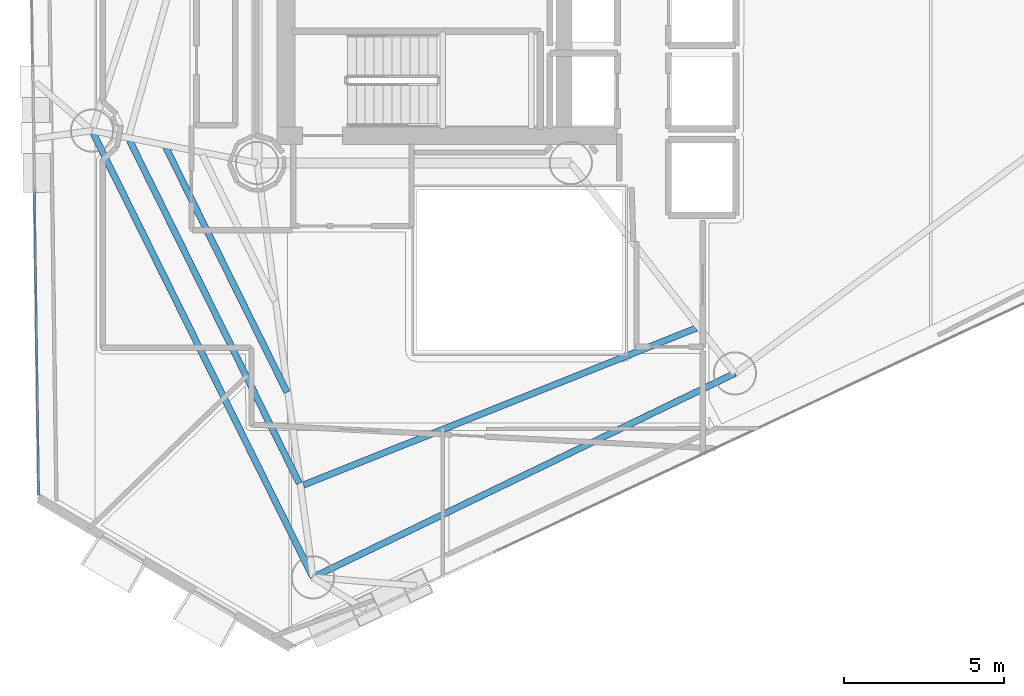
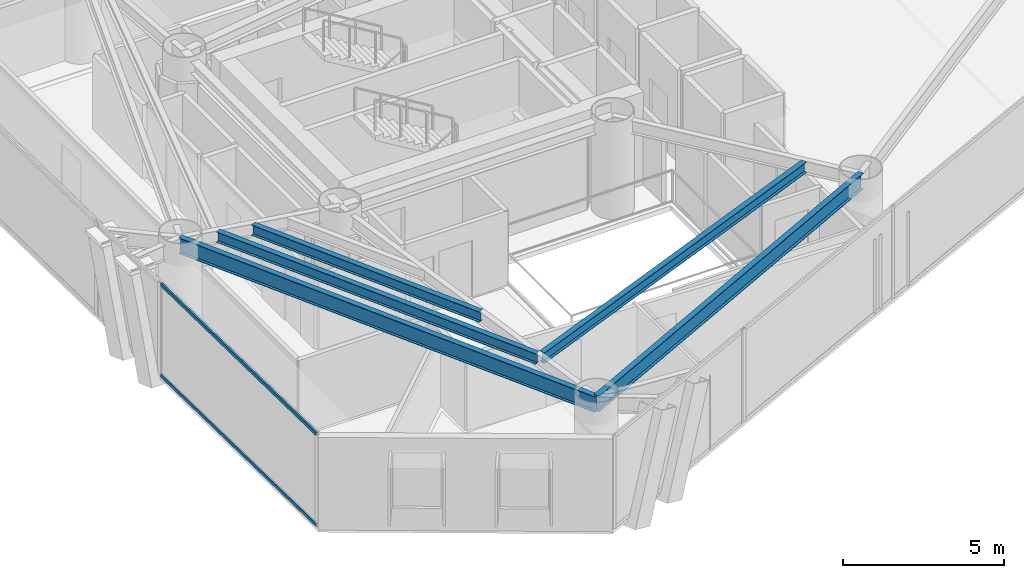
# One storey, part 3 of 20: 5 beams, 2 members, 1 element without a shape of its own.
"""IFC4 building model written with IfcOpenShell, lengths in metres."""

from ifc_helpers import new_model, si_unit, direction, frame, origin, origin_2d, place, context, subcontext, project, spatial, hollow_rectangle, i_section, extrude, material, layer, layer_set, material_profile, profile_set, type_object, element, aggregate, save


model = new_model("IFC4")

# Units and contexts
model_context = context("Model", 3, precision=1e-05, world=origin(), true_north=direction((0.0, 1.0)))
body_context = subcontext(model_context, "Body", "Model", "MODEL_VIEW")
ifc_project = project(units=[si_unit("LENGTHUNIT", "METRE"), si_unit("AREAUNIT", "SQUARE_METRE"), si_unit("VOLUMEUNIT", "CUBIC_METRE"), si_unit("PLANEANGLEUNIT", "RADIAN"), si_unit("MASSUNIT", "GRAM", prefix="KILO")], contexts=[model_context])

# Site, building, storey
site_placement = place(None, origin())
site = spatial("IfcSite", under=ifc_project, at=site_placement, CompositionType="ELEMENT")
building_placement = place(site_placement, origin())
building = spatial("IfcBuilding", under=site, at=building_placement, Name="Qianvela Tower", CompositionType="ELEMENT")
storey_placement = place(building_placement, frame((0.0, 0.0, 151.300048828125)))
storey = spatial("IfcBuildingStorey", under=building, at=storey_placement, Name="L38", CompositionType="ELEMENT", Elevation=151.300048828125)

# Beams
ifc_material_1 = material(Name="Steel Q355B", Category="steel")
ifc_material_profile_1 = material_profile(ifc_material_1, i_section(OverallWidth=0.199951171875, OverallDepth=0.39990234375, WebThickness=0.008056640625, FlangeThickness=0.012939453125, at=origin_2d()), Name="HN400x200x8x13")
ifc_profile_set_1 = profile_set([ifc_material_profile_1], Name="Steel Q355B")
beam_type_1 = type_object("IfcBeamType", Name="BM-HN400-JOIST", PredefinedType="JOIST", material=ifc_profile_set_1)
beam_1_placement = place(storey_placement, frame((25.75634765625, 24.3291015625, 3.31787109375), z_axis=(0.443417285282, -0.896315296708, 0.0), x_axis=(0.896315296708, 0.443417285282, 0.0)))
element("IfcBeam", 1, at=beam_1_placement, inside=storey, type_object=beam_type_1, Name="L38 Secondary Composite Floor Joist 4.2", PredefinedType="JOIST", context=body_context, shape_type="SweptSolid", body=[
    extrude(i_section(OverallWidth=0.199951171875, OverallDepth=0.39990234375, WebThickness=0.008056640625, FlangeThickness=0.012939453125, at=origin_2d()), origin(), (0.0, 0.0, 1.0), 8.523681640625),
])
beam_2_placement = place(storey_placement, frame((24.622314453125, 24.551025390625, 3.31787109375), z_axis=(0.443417031377, -0.896315422318, 0.0), x_axis=(0.896315422318, 0.443417031377, 0.0)))
element("IfcBeam", 2, at=beam_2_placement, inside=storey, type_object=beam_type_1, Name="L38 Secondary Composite Floor Joist 4.3", PredefinedType="JOIST", context=body_context, shape_type="SweptSolid", body=[
    extrude(i_section(OverallWidth=0.199951171875, OverallDepth=0.39990234375, WebThickness=0.008056640625, FlangeThickness=0.012939453125, at=origin_2d()), origin(), (0.0, 0.0, 1.0), 11.94775390625),
])
beam_3_placement = place(storey_placement, frame((30.0517578125, 13.79150390625, 3.31787109375), z_axis=(0.928611849806, 0.371052600584, 0.0), x_axis=(-0.371052600584, 0.928611849806, 0.0)))
element("IfcBeam", 3, at=beam_3_placement, inside=storey, type_object=beam_type_1, Name="L38 Secondary Composite Floor Joist 5.3", PredefinedType="JOIST", context=body_context, shape_type="SweptSolid", body=[
    extrude(i_section(OverallWidth=0.199951171875, OverallDepth=0.39990234375, WebThickness=0.008056640625, FlangeThickness=0.012939453125, at=origin_2d()), origin(), (0.0, 0.0, 1.0), 13.19873046875),
])
ifc_material_2 = material(Name="Steel Q355B", Category="steel")
ifc_material_profile_2 = material_profile(ifc_material_2, i_section(OverallWidth=0.199951171875, OverallDepth=0.60009765625, WebThickness=0.010986328125, FlangeThickness=0.01708984375, at=origin_2d()), Name="HN600x200x11x17")
ifc_profile_set_2 = profile_set([ifc_material_profile_2], Name="Steel Q355B")
beam_type_2 = type_object("IfcBeamType", Name="BM-HN600-GIRD", PredefinedType="BEAM", material=ifc_profile_set_2)
beam_4_placement = place(storey_placement, frame((23.446044921875, 24.85888671875, 3.218017578125), z_axis=(0.443400805375, -0.896323449315, 0.0), x_axis=(0.896323449315, 0.443400805375, 0.0)))
element("IfcBeam", 4, at=beam_4_placement, inside=storey, type_object=beam_type_2, Name="L38 Perimeter Ring Spandrel Girder 4", PredefinedType="BEAM", context=body_context, shape_type="SweptSolid", body=[
    extrude(i_section(OverallWidth=0.199951171875, OverallDepth=0.60009765625, WebThickness=0.010986328125, FlangeThickness=0.01708984375, at=origin_2d()), origin(), (0.0, 0.0, 1.0), 15.5634765625),
])
beam_5_placement = place(storey_placement, frame((30.346923828125, 10.908935546875, 3.218017578125), z_axis=(0.900328583727, 0.435210801019, 0.0), x_axis=(-0.435210801019, 0.900328583727, 0.0)))
element("IfcBeam", 5, at=beam_5_placement, inside=storey, type_object=beam_type_2, Name="L38 Perimeter Ring Spandrel Girder 5", PredefinedType="BEAM", context=body_context, shape_type="SweptSolid", body=[
    extrude(i_section(OverallWidth=0.199951171875, OverallDepth=0.60009765625, WebThickness=0.010986328125, FlangeThickness=0.01708984375, at=origin_2d()), origin(), (0.0, 0.0, 1.0), 14.636962890625),
])

# Curtain wall, members
ifc_material_3 = material(Name="Anodised Architectural Aluminium and Low-E Glass", Category="aluminium")
ifc_layer = layer(ifc_material_3, 0.169921875)
ifc_layer_set = layer_set([ifc_layer], Name="Anodised Architectural Aluminium and Low-E Glass")
curtain_wall_type = type_object("IfcCurtainWallType", Name="CW-COLIV-Z34", PredefinedType="USERDEFINED", material=ifc_layer_set)
curtain_wall_placement = place(storey_placement, origin())
curtain_wall = element("IfcCurtainWall", 6, at=curtain_wall_placement, inside=storey, type_object=curtain_wall_type, Name="L38 CW-COLIV-Z34 Curtain Wall 04C", ObjectType="CURTAIN_WALL_SYSTEM", PredefinedType="USERDEFINED")
ifc_material_4 = material(Name="Anodised Architectural Aluminium 6063-T6", Category="aluminium")
ifc_material_profile_3 = material_profile(ifc_material_4, hollow_rectangle(XDim=0.06494140625, YDim=0.1298828125, WallThickness=0.00439453125, at=origin_2d()), Name="ALU-TRAN-65x130")
ifc_profile_set_3 = profile_set([ifc_material_profile_3], Name="Anodised Architectural Aluminium 6063-T6")
member_type = type_object("IfcMemberType", Name="CW-COLIV-Z34-TRAN", PredefinedType="USERDEFINED", material=ifc_profile_set_3)
member_1_placement = place(storey_placement, frame((21.652099609375, 22.92431640625, 0.032470703125), z_axis=(0.013962952085, -0.999902513233, 0.0), x_axis=(0.999902513233, 0.013962952085, 0.0)))
member_1 = element("IfcMember", 7, at=member_1_placement, type_object=member_type, Name="CW-4 transom 1.1", ObjectType="TRANSOM", PredefinedType="USERDEFINED", context=body_context, shape_type="SweptSolid", body=[
    extrude(hollow_rectangle(XDim=0.06494140625, YDim=0.1298828125, WallThickness=0.00439453125, at=origin_2d()), origin(), (0.0, 0.0, 1.0), 9.44189453125),
])
member_2_placement = place(storey_placement, frame((21.652099609375, 22.92431640625, 3.487548828125), z_axis=(0.013962952085, -0.999902513233, 0.0), x_axis=(0.999902513233, 0.013962952085, 0.0)))
member_2 = element("IfcMember", 8, at=member_2_placement, type_object=member_type, Name="CW-4 transom 1.2", ObjectType="TRANSOM", PredefinedType="USERDEFINED", context=body_context, shape_type="SweptSolid", body=[
    extrude(hollow_rectangle(XDim=0.06494140625, YDim=0.1298828125, WallThickness=0.00439453125, at=origin_2d()), origin(), (0.0, 0.0, 1.0), 9.44189453125),
])
aggregate(curtain_wall, [member_1, member_2])

save(model, "model.ifc")
